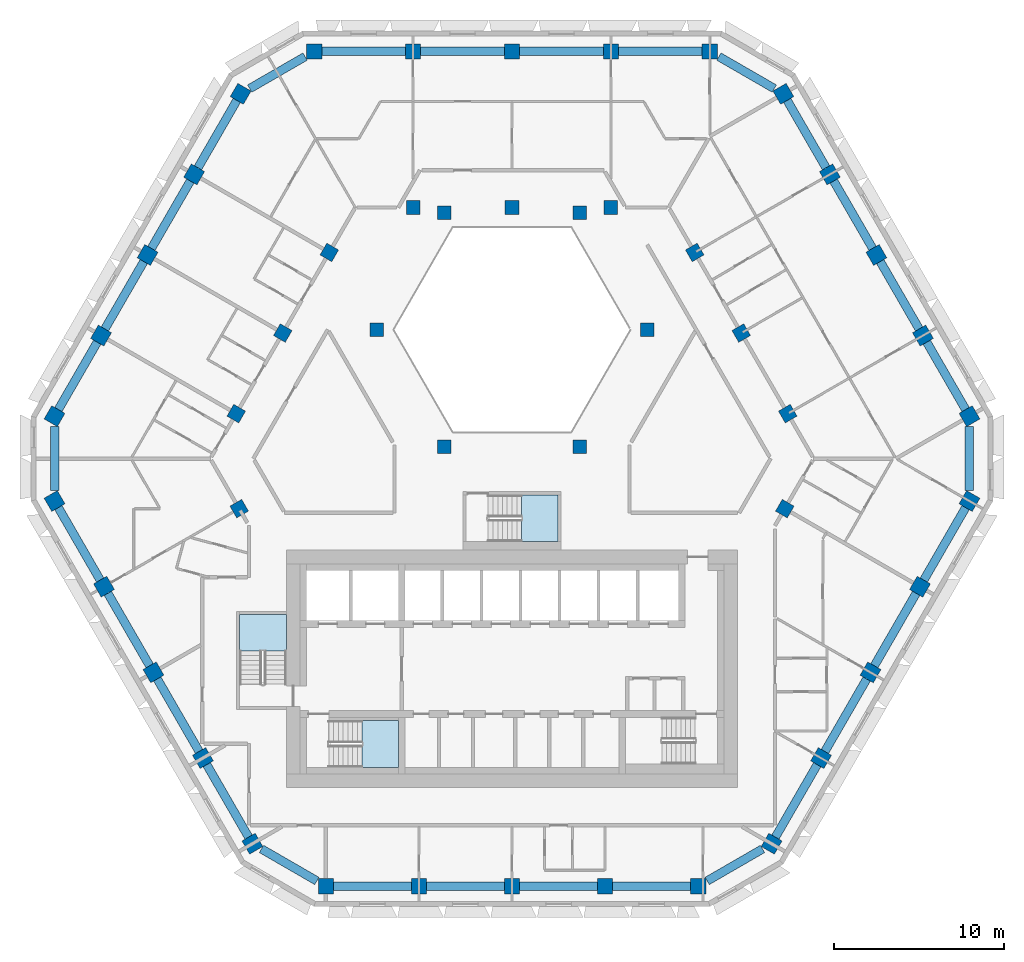
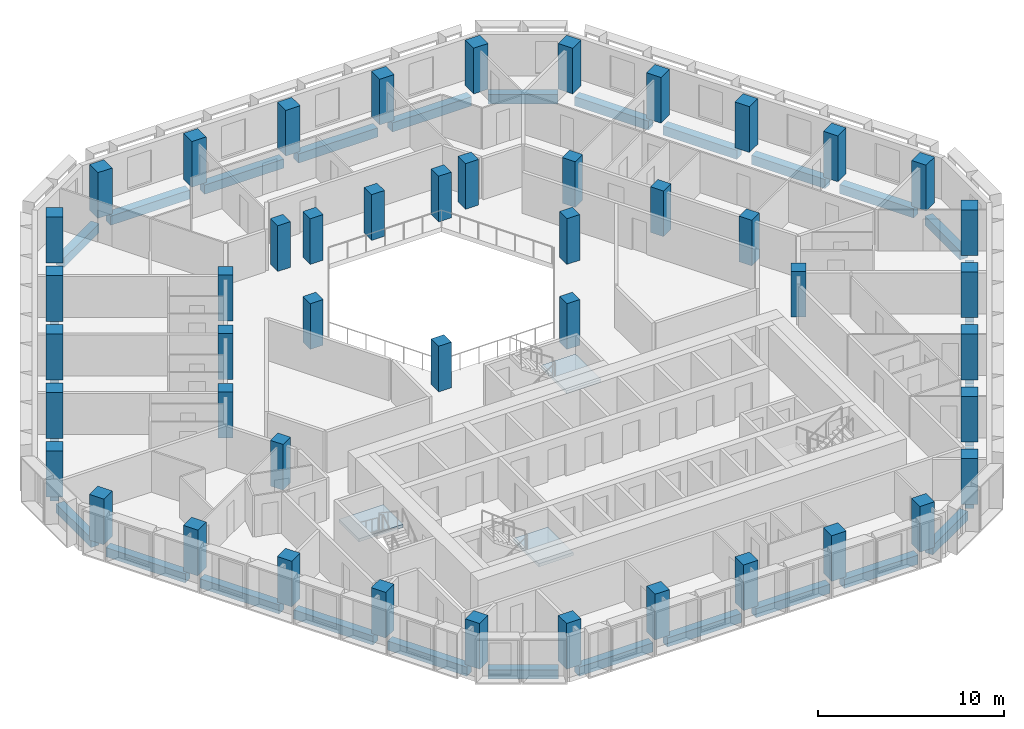
# One storey, part 1 of 15: 47 columns, 30 beams, 3 slabs, 3 elements without a shape of their own.
"""IFC4 building model written with IfcOpenShell, lengths in metres."""

from ifc_helpers import new_model, si_unit, direction, frame, origin, origin_2d, place, context, subcontext, project, spatial, polyline, rectangle, outline, extrude, material, layer, layer_set, material_profile, profile_set, type_object, element, aggregate, save


model = new_model("IFC4")

# Units and contexts
model_context = context("Model", 3, precision=1e-05, world=origin(), true_north=direction((0.0, 1.0)))
body_context = subcontext(model_context, "Body", "Model", "MODEL_VIEW")
ifc_project = project(units=[si_unit("LENGTHUNIT", "METRE"), si_unit("AREAUNIT", "SQUARE_METRE"), si_unit("VOLUMEUNIT", "CUBIC_METRE"), si_unit("PLANEANGLEUNIT", "RADIAN"), si_unit("MASSUNIT", "GRAM", prefix="KILO")], contexts=[model_context])

# Site, building, storey
site_placement = place(None, origin())
site = spatial("IfcSite", under=ifc_project, at=site_placement, CompositionType="ELEMENT")
building_placement = place(site_placement, origin())
building = spatial("IfcBuilding", under=site, at=building_placement, Name="Beryl Residences", CompositionType="ELEMENT")
storey_placement = place(building_placement, frame((0.0, 0.0, 135.60009765625)))
storey = spatial("IfcBuildingStorey", under=building, at=storey_placement, Name="L41", CompositionType="ELEMENT", Elevation=135.60009765625)

# Columns
ifc_material_1 = material(Name="Concrete C60/75", Category="concrete")
ifc_material_profile_1 = material_profile(ifc_material_1, rectangle(XDim=0.89990234375, YDim=0.89990234375, at=origin_2d()))
ifc_profile_set_1 = profile_set([ifc_material_profile_1], Name="Concrete C60/75")
column_type_1 = type_object("IfcColumnType", Name="C3 tube column 900 x 900 C60/75", PredefinedType="COLUMN", material=ifc_profile_set_1)
for number, where, z_axis, x_axis, name in (
    (1, (11.662109375, 24.39990234375, 0.0), (0.0, 0.0, 1.0), (-1.0, 0.0, 0.0), "C3-N1 L41"),
    (2, (5.8310546875, 24.39990234375, 0.0), (0.0, 0.0, 1.0), (-1.0, 0.0, 0.0), "C3-N2 L41"),
    (3, (0.0, 24.39990234375, 0.0), (0.0, 0.0, 1.0), (-1.0, 0.0, 0.0), "C3-N3 L41"),
    (4, (-5.8310546875, 24.39990234375, 0.0), (0.0, 0.0, 1.0), (-1.0, 0.0, 0.0), "C3-N4 L41"),
    (5, (-11.662109375, 24.39990234375, 0.0), (0.0, 0.0, 1.0), (-1.0, 0.0, 0.0), "C3-N5 L41"),
    (6, (-15.992919921875, 21.89990234375, 0.0), (0.0, 0.0, 1.0), (-0.5, -0.866025403784, 0.0), "C3-NW1 L41"),
    (7, (-18.735107421875, 17.14990234375, 0.0), (0.0, 0.0, 1.0), (-0.5, -0.866025403784, 0.0), "C3-NW2 L41"),
    (8, (-21.47802734375, 12.39990234375, 0.0), (0.0, 0.0, 1.0), (-0.5, -0.866025403784, 0.0), "C3-NW3 L41"),
    (9, (-24.219970703125, 7.64990234375, 0.0), (0.0, 0.0, 1.0), (-0.5, -0.866025403784, 0.0), "C3-NW4 L41"),
    (10, (-26.962890625, 2.89990234375, 0.0), (0.0, 0.0, 1.0), (-0.5, -0.866025403784, 0.0), "C3-NW5 L41"),
    (11, (-26.9619140625, -2.10009765625, 0.0), (0.0, 0.0, 1.0), (0.5, -0.866025403784, 0.0), "C3-SW1 L41"),
    (12, (-24.047119140625, -7.14892578125, 0.0), (0.0, 0.0, 1.0), (0.5, -0.866025403784, 0.0), "C3-SW2 L41"),
    (13, (-21.131103515625, -12.198974609375, 0.0), (0.0, 0.0, 1.0), (0.5, -0.866025403784, 0.0), "C3-SW3 L41"),
    (14, (-18.216064453125, -17.2490234375, 0.0), (0.0, 0.0, 1.0), (0.5, -0.866025403784, 0.0), "C3-SW4 L41"),
    (15, (-15.300048828125, -22.299072265625, 0.0), (0.0, 0.0, 1.0), (0.5, -0.866025403784, 0.0), "C3-SW5 L41"),
    (16, (-10.968994140625, -24.800048828125, 0.0), (0.0, 0.0, 1.0), (1.0, 0.0, 0.0), "C3-S1 L41"),
    (17, (-5.48388671875, -24.800048828125, 0.0), (0.0, 0.0, 1.0), (1.0, 0.0, 0.0), "C3-S2 L41"),
    (18, (0.0009765625, -24.800048828125, 0.0), (0.0, 0.0, 1.0), (1.0, 0.0, 0.0), "C3-S3 L41"),
    (19, (5.486083984375, -24.800048828125, 0.0), (0.0, 0.0, 1.0), (1.0, 0.0, 0.0), "C3-S4 L41"),
    (20, (10.970947265625, -24.800048828125, 0.0), (0.0, 0.0, 1.0), (1.0, 0.0, 0.0), "C3-S5 L41"),
    (21, (15.299072265625, -22.300048828125, 0.0), (0.0, 0.0, 1.0), (0.5, 0.866025403784, 0.0), "C3-SE1 L41"),
    (22, (18.215087890625, -17.2509765625, 0.0), (0.0, 0.0, 1.0), (0.5, 0.866025403784, 0.0), "C3-SE2 L41"),
    (23, (21.1298828125, -12.200927734375, 0.0), (0.0, 0.0, 1.0), (0.5, 0.866025403784, 0.0), "C3-SE3 L41"),
    (24, (24.0458984375, -7.15087890625, 0.0), (0.0, 0.0, 1.0), (0.5, 0.866025403784, 0.0), "C3-SE4 L41"),
    (25, (26.9609375, -2.10107421875, 0.0), (0.0, 0.0, 1.0), (0.5, 0.866025403784, 0.0), "C3-SE5 L41"),
    (26, (26.962890625, 2.89990234375, 0.0), (0.0, 0.0, 1.0), (-0.5, 0.866025403784, 0.0), "C3-NE1 L41"),
    (27, (24.219970703125, 7.64990234375, 0.0), (0.0, 0.0, 1.0), (-0.5, 0.866025403784, 0.0), "C3-NE2 L41"),
    (28, (21.47802734375, 12.39990234375, 0.0), (0.0, 0.0, 1.0), (-0.5, 0.866025403784, 0.0), "C3-NE3 L41"),
    (29, (18.735107421875, 17.14990234375, 0.0), (0.0, 0.0, 1.0), (-0.5, 0.866025403784, 0.0), "C3-NE4 L41"),
    (30, (15.992919921875, 21.89990234375, 0.0), (0.0, 0.0, 1.0), (-0.5, 0.866025403784, 0.0), "C3-NE5 L41"),
):
    element("IfcColumn", number, at=place(storey_placement, frame(where, z_axis=z_axis, x_axis=x_axis)), inside=storey, type_object=column_type_1, Name=name, PredefinedType="COLUMN", context=body_context, shape_type="SweptSolid", body=[
        extrude(rectangle(XDim=0.89990234375, YDim=0.89990234375, at=origin_2d()), origin(), (0.0, 0.0, 1.0), 3.0),
    ])
ifc_material_2 = material(Name="Concrete C60/75", Category="concrete")
ifc_material_profile_2 = material_profile(ifc_material_2, rectangle(XDim=0.800048828125, YDim=0.800048828125, at=origin_2d()))
ifc_profile_set_2 = profile_set([ifc_material_profile_2], Name="Concrete C60/75")
column_type_2 = type_object("IfcColumnType", Name="IC3 interior column 800 x 800 C60/75", PredefinedType="COLUMN", material=ifc_profile_set_2)
for number, where, z_axis, x_axis, name in (
    (31, (-16.0791015625, -2.549072265625, 0.0), (0.0, 0.0, 1.0), (0.5, -0.866025403784, 0.0), "IC3-M01 L41"),
    (32, (16.077880859375, -2.551025390625, 0.0), (0.0, 0.0, 1.0), (0.5, 0.866025403784, 0.0), "IC3-M02 L41"),
    (33, (16.2529296875, 3.050048828125, 0.0), (0.0, 0.0, 1.0), (-0.5, 0.866025403784, 0.0), "IC3-M03 L41"),
    (34, (3.98388671875, 1.10009765625, 0.0), (0.0, 0.0, 1.0), (1.0, 0.0, 0.0), "IC3-A04 L41"),
    (35, (13.510009765625, 7.800048828125, 0.0), (0.0, 0.0, 1.0), (-0.5, 0.866025403784, 0.0), "IC3-M05 L41"),
    (36, (7.967041015625, 8.0, 0.0), (0.0, 0.0, 1.0), (1.0, 0.0, 0.0), "IC3-A06 L41"),
    (37, (10.76806640625, 12.550048828125, 0.0), (0.0, 0.0, 1.0), (-0.5, 0.866025403784, 0.0), "IC3-M07 L41"),
    (38, (5.8310546875, 15.199951171875, 0.0), (0.0, 0.0, 1.0), (-1.0, 0.0, 0.0), "IC3-M08 L41"),
    (39, (3.98388671875, 14.89990234375, 0.0), (0.0, 0.0, 1.0), (1.0, 0.0, 0.0), "IC3-A09 L41"),
    (40, (0.0, 15.199951171875, 0.0), (0.0, 0.0, 1.0), (-1.0, 0.0, 0.0), "IC3-M10 L41"),
    (41, (-3.98388671875, 14.89990234375, 0.0), (0.0, 0.0, 1.0), (1.0, 0.0, 0.0), "IC3-A11 L41"),
    (42, (-5.8310546875, 15.199951171875, 0.0), (0.0, 0.0, 1.0), (-1.0, 0.0, 0.0), "IC3-M12 L41"),
    (43, (-10.76806640625, 12.550048828125, 0.0), (0.0, 0.0, 1.0), (-0.5, -0.866025403784, 0.0), "IC3-M13 L41"),
    (44, (-7.967041015625, 8.0, 0.0), (0.0, 0.0, 1.0), (1.0, 0.0, 0.0), "IC3-A14 L41"),
    (45, (-13.510009765625, 7.800048828125, 0.0), (0.0, 0.0, 1.0), (-0.5, -0.866025403784, 0.0), "IC3-M15 L41"),
    (46, (-3.98388671875, 1.10009765625, 0.0), (0.0, 0.0, 1.0), (1.0, 0.0, 0.0), "IC3-A16 L41"),
    (47, (-16.2529296875, 3.050048828125, 0.0), (0.0, 0.0, 1.0), (-0.5, -0.866025403784, 0.0), "IC3-M17 L41"),
):
    element("IfcColumn", number, at=place(storey_placement, frame(where, z_axis=z_axis, x_axis=x_axis)), inside=storey, type_object=column_type_2, Name=name, PredefinedType="COLUMN", context=body_context, shape_type="SweptSolid", body=[
        extrude(rectangle(XDim=0.800048828125, YDim=0.800048828125, at=origin_2d()), origin(), (0.0, 0.0, 1.0), 3.0),
    ])

# Beams
ifc_material_3 = material(Name="Concrete C60/75", Category="concrete")
ifc_material_profile_3 = material_profile(ifc_material_3, rectangle(XDim=0.5, YDim=0.60009765625, at=origin_2d()))
ifc_profile_set_3 = profile_set([ifc_material_profile_3], Name="Concrete C60/75")
beam_type = type_object("IfcBeamType", Name="SB3 spandrel beam 500 x 600 C60/75", PredefinedType="SPANDREL", material=ifc_profile_set_3)
beam_1_placement = place(storey_placement, frame((11.2119140625, 24.39990234375, -0.60009765625), z_axis=(-1.0, 0.0, 0.0), x_axis=(0.0, -1.0, 0.0)))
element("IfcBeam", 48, at=beam_1_placement, inside=storey, type_object=beam_type, Name="SB3 L41 N-0", PredefinedType="SPANDREL", context=body_context, shape_type="SweptSolid", body=[
    extrude(rectangle(XDim=0.5, YDim=0.60009765625, at=origin_2d()), origin(), (0.0, 0.0, 1.0), 4.930908203125),
])
for number, where, z_axis, x_axis, name in (
    (49, (5.381103515625, 24.39990234375, -0.60009765625), (-1.0, 0.0, 0.0), (0.0, -1.0, 0.0), "SB3 L41 N-1"),
    (50, (-0.449951171875, 24.39990234375, -0.60009765625), (-1.0, 0.0, 0.0), (0.0, -1.0, 0.0), "SB3 L41 N-2"),
):
    element("IfcBeam", number, at=place(storey_placement, frame(where, z_axis=z_axis, x_axis=x_axis)), inside=storey, type_object=beam_type, Name=name, PredefinedType="SPANDREL", context=body_context, shape_type="SweptSolid", body=[
        extrude(rectangle(XDim=0.5, YDim=0.60009765625, at=origin_2d()), origin(), (0.0, 0.0, 1.0), 4.93115234375),
    ])
beam_2_placement = place(storey_placement, frame((-6.281005859375, 24.39990234375, -0.60009765625), z_axis=(-1.0, 0.0, 0.0), x_axis=(0.0, -1.0, 0.0)))
element("IfcBeam", 51, at=beam_2_placement, inside=storey, type_object=beam_type, Name="SB3 L41 N-3", PredefinedType="SPANDREL", context=body_context, shape_type="SweptSolid", body=[
    extrude(rectangle(XDim=0.5, YDim=0.60009765625, at=origin_2d()), origin(), (0.0, 0.0, 1.0), 4.930908203125),
])
beam_3_placement = place(storey_placement, frame((-12.194091796875, 24.093017578125, -0.60009765625), z_axis=(-0.866040087317, -0.499974566514, 0.0), x_axis=(0.499974566514, -0.866040087317, 0.0)))
element("IfcBeam", 52, at=beam_3_placement, inside=storey, type_object=beam_type, Name="SB3 L41 N-4", PredefinedType="SPANDREL", context=body_context, shape_type="SweptSolid", body=[
    extrude(rectangle(XDim=0.5, YDim=0.60009765625, at=origin_2d()), origin(), (0.0, 0.0, 1.0), 3.772216796875),
])
beam_4_placement = place(storey_placement, frame((-16.218017578125, 21.510009765625, -0.60009765625), z_axis=(-0.49998830735, -0.866032154434, 0.0), x_axis=(0.866032154434, -0.49998830735, 0.0)))
element("IfcBeam", 53, at=beam_4_placement, inside=storey, type_object=beam_type, Name="SB3 L41 NW-0", PredefinedType="SPANDREL", context=body_context, shape_type="SweptSolid", body=[
    extrude(rectangle(XDim=0.5, YDim=0.60009765625, at=origin_2d()), origin(), (0.0, 0.0, 1.0), 4.583984375),
])
beam_5_placement = place(storey_placement, frame((-18.9599609375, 16.760009765625, -0.60009765625), z_axis=(-0.500148059018, -0.865939904993, 0.0), x_axis=(0.865939904993, -0.500148059018, 0.0)))
element("IfcBeam", 54, at=beam_5_placement, inside=storey, type_object=beam_type, Name="SB3 L41 NW-1", PredefinedType="SPANDREL", context=body_context, shape_type="SweptSolid", body=[
    extrude(rectangle(XDim=0.5, YDim=0.60009765625, at=origin_2d()), origin(), (0.0, 0.0, 1.0), 4.58447265625),
])
beam_6_placement = place(storey_placement, frame((-21.702880859375, 12.010009765625, -0.60009765625), z_axis=(-0.500028250054, -0.866009092994, 0.0), x_axis=(0.866009092994, -0.500028250054, 0.0)))
element("IfcBeam", 55, at=beam_6_placement, inside=storey, type_object=beam_type, Name="SB3 L41 NW-2", PredefinedType="SPANDREL", context=body_context, shape_type="SweptSolid", body=[
    extrude(rectangle(XDim=0.5, YDim=0.60009765625, at=origin_2d()), origin(), (0.0, 0.0, 1.0), 4.584228515625),
])
beam_7_placement = place(storey_placement, frame((-24.445068359375, 7.260009765625, -0.60009765625), z_axis=(-0.500148059018, -0.865939904993, 0.0), x_axis=(0.865939904993, -0.500148059018, 0.0)))
element("IfcBeam", 56, at=beam_7_placement, inside=storey, type_object=beam_type, Name="SB3 L41 NW-3", PredefinedType="SPANDREL", context=body_context, shape_type="SweptSolid", body=[
    extrude(rectangle(XDim=0.5, YDim=0.60009765625, at=origin_2d()), origin(), (0.0, 0.0, 1.0), 4.58447265625),
])
beam_8_placement = place(storey_placement, frame((-26.962890625, 2.285888671875, -0.60009765625), z_axis=(0.000258899668, -0.999999966485, 0.0), x_axis=(0.999999966485, 0.000258899668, 0.0)))
element("IfcBeam", 57, at=beam_8_placement, inside=storey, type_object=beam_type, Name="SB3 L41 NW-4", PredefinedType="SPANDREL", context=body_context, shape_type="SweptSolid", body=[
    extrude(rectangle(XDim=0.5, YDim=0.60009765625, at=origin_2d()), origin(), (0.0, 0.0, 1.0), 3.77197265625),
])
beam_9_placement = place(storey_placement, frame((-26.737060546875, -2.489990234375, -0.60009765625), z_axis=(0.50005397607, -0.865994238443, 0.0), x_axis=(0.865994238443, 0.50005397607, 0.0)))
element("IfcBeam", 58, at=beam_9_placement, inside=storey, type_object=beam_type, Name="SB3 L41 SW-0", PredefinedType="SPANDREL", context=body_context, shape_type="SweptSolid", body=[
    extrude(rectangle(XDim=0.5, YDim=0.60009765625, at=origin_2d()), origin(), (0.0, 0.0, 1.0), 4.9296875),
])
beam_10_placement = place(storey_placement, frame((-23.822021484375, -7.5390625, -0.60009765625), z_axis=(0.500116736097, -0.865957995677, 0.0), x_axis=(0.865957995677, 0.500116736097, 0.0)))
element("IfcBeam", 59, at=beam_10_placement, inside=storey, type_object=beam_type, Name="SB3 L41 SW-1", PredefinedType="SPANDREL", context=body_context, shape_type="SweptSolid", body=[
    extrude(rectangle(XDim=0.5, YDim=0.60009765625, at=origin_2d()), origin(), (0.0, 0.0, 1.0), 4.930908203125),
])
beam_11_placement = place(storey_placement, frame((-20.906005859375, -12.589111328125, -0.60009765625), z_axis=(0.499989643469, -0.866031383048, 0.0), x_axis=(0.866031383048, 0.499989643469, 0.0)))
element("IfcBeam", 60, at=beam_11_placement, inside=storey, type_object=beam_type, Name="SB3 L41 SW-2", PredefinedType="SPANDREL", context=body_context, shape_type="SweptSolid", body=[
    extrude(rectangle(XDim=0.5, YDim=0.60009765625, at=origin_2d()), origin(), (0.0, 0.0, 1.0), 4.93017578125),
])
beam_12_placement = place(storey_placement, frame((-17.990966796875, -17.638916015625, -0.60009765625), z_axis=(0.500116736097, -0.865957995677, 0.0), x_axis=(0.865957995677, 0.500116736097, 0.0)))
element("IfcBeam", 61, at=beam_12_placement, inside=storey, type_object=beam_type, Name="SB3 L41 SW-3", PredefinedType="SPANDREL", context=body_context, shape_type="SweptSolid", body=[
    extrude(rectangle(XDim=0.5, YDim=0.60009765625, at=origin_2d()), origin(), (0.0, 0.0, 1.0), 4.930908203125),
])
beam_13_placement = place(storey_placement, frame((-14.76806640625, -22.60595703125, -0.60009765625), z_axis=(0.865944170592, -0.500140673629, 0.0), x_axis=(0.500140673629, 0.865944170592, 0.0)))
element("IfcBeam", 62, at=beam_13_placement, inside=storey, type_object=beam_type, Name="SB3 L41 SW-4", PredefinedType="SPANDREL", context=body_context, shape_type="SweptSolid", body=[
    extrude(rectangle(XDim=0.5, YDim=0.60009765625, at=origin_2d()), origin(), (0.0, 0.0, 1.0), 3.77294921875),
])
for number, where, z_axis, x_axis, name in (
    (63, (-10.51904296875, -24.800048828125, -0.60009765625), (1.0, 0.0, 0.0), (0.0, 1.0, 0.0), "SB3 L41 S-0"),
    (64, (-5.033935546875, -24.800048828125, -0.60009765625), (1.0, 0.0, 0.0), (0.0, 1.0, 0.0), "SB3 L41 S-1"),
    (65, (0.450927734375, -24.800048828125, -0.60009765625), (1.0, 0.0, 0.0), (0.0, 1.0, 0.0), "SB3 L41 S-2"),
    (66, (5.93603515625, -24.800048828125, -0.60009765625), (1.0, 0.0, 0.0), (0.0, 1.0, 0.0), "SB3 L41 S-3"),
):
    element("IfcBeam", number, at=place(storey_placement, frame(where, z_axis=z_axis, x_axis=x_axis)), inside=storey, type_object=beam_type, Name=name, PredefinedType="SPANDREL", context=body_context, shape_type="SweptSolid", body=[
        extrude(rectangle(XDim=0.5, YDim=0.60009765625, at=origin_2d()), origin(), (0.0, 0.0, 1.0), 4.5849609375),
    ])
beam_14_placement = place(storey_placement, frame((11.5029296875, -24.492919921875, -0.60009765625), z_axis=(0.865861956233, 0.500282992663, 0.0), x_axis=(-0.500282992663, 0.865861956233, 0.0)))
element("IfcBeam", 67, at=beam_14_placement, inside=storey, type_object=beam_type, Name="SB3 L41 S-4", PredefinedType="SPANDREL", context=body_context, shape_type="SweptSolid", body=[
    extrude(rectangle(XDim=0.5, YDim=0.60009765625, at=origin_2d()), origin(), (0.0, 0.0, 1.0), 3.769775390625),
])
beam_15_placement = place(storey_placement, frame((15.52392578125, -21.909912109375, -0.60009765625), z_axis=(0.500223967704, 0.86589605735, 0.0), x_axis=(-0.86589605735, 0.500223967704, 0.0)))
element("IfcBeam", 68, at=beam_15_placement, inside=storey, type_object=beam_type, Name="SB3 L41 SE-0", PredefinedType="SPANDREL", context=body_context, shape_type="SweptSolid", body=[
    extrude(rectangle(XDim=0.5, YDim=0.60009765625, at=origin_2d()), origin(), (0.0, 0.0, 1.0), 4.929931640625),
])
beam_16_placement = place(storey_placement, frame((18.43994140625, -16.861083984375, -0.60009765625), z_axis=(0.499968202334, 0.866043761397, 0.0), x_axis=(-0.866043761397, 0.499968202334, 0.0)))
element("IfcBeam", 69, at=beam_16_placement, inside=storey, type_object=beam_type, Name="SB3 L41 SE-1", PredefinedType="SPANDREL", context=body_context, shape_type="SweptSolid", body=[
    extrude(rectangle(XDim=0.5, YDim=0.60009765625, at=origin_2d()), origin(), (0.0, 0.0, 1.0), 4.930419921875),
])
beam_17_placement = place(storey_placement, frame((21.35498046875, -11.81103515625, -0.60009765625), z_axis=(0.500116736097, 0.865957995677, 0.0), x_axis=(-0.865957995677, 0.500116736097, 0.0)))
element("IfcBeam", 70, at=beam_17_placement, inside=storey, type_object=beam_type, Name="SB3 L41 SE-2", PredefinedType="SPANDREL", context=body_context, shape_type="SweptSolid", body=[
    extrude(rectangle(XDim=0.5, YDim=0.60009765625, at=origin_2d()), origin(), (0.0, 0.0, 1.0), 4.930908203125),
])
beam_18_placement = place(storey_placement, frame((24.27099609375, -6.760986328125, -0.60009765625), z_axis=(0.499968202334, 0.866043761397, 0.0), x_axis=(-0.866043761397, 0.499968202334, 0.0)))
element("IfcBeam", 71, at=beam_18_placement, inside=storey, type_object=beam_type, Name="SB3 L41 SE-3", PredefinedType="SPANDREL", context=body_context, shape_type="SweptSolid", body=[
    extrude(rectangle(XDim=0.5, YDim=0.60009765625, at=origin_2d()), origin(), (0.0, 0.0, 1.0), 4.930419921875),
])
beam_19_placement = place(storey_placement, frame((26.9609375, -1.487060546875, -0.60009765625), z_axis=(0.00051766526, 0.999999866011, 0.0), x_axis=(-0.999999866011, 0.00051766526, 0.0)))
element("IfcBeam", 72, at=beam_19_placement, inside=storey, type_object=beam_type, Name="SB3 L41 SE-4", PredefinedType="SPANDREL", context=body_context, shape_type="SweptSolid", body=[
    extrude(rectangle(XDim=0.5, YDim=0.60009765625, at=origin_2d()), origin(), (0.0, 0.0, 1.0), 3.77294921875),
])
beam_20_placement = place(storey_placement, frame((26.738037109375, 3.2900390625, -0.60009765625), z_axis=(-0.500148059018, 0.865939904993, 0.0), x_axis=(-0.865939904993, -0.500148059018, 0.0)))
element("IfcBeam", 73, at=beam_20_placement, inside=storey, type_object=beam_type, Name="SB3 L41 NE-0", PredefinedType="SPANDREL", context=body_context, shape_type="SweptSolid", body=[
    extrude(rectangle(XDim=0.5, YDim=0.60009765625, at=origin_2d()), origin(), (0.0, 0.0, 1.0), 4.58447265625),
])
beam_21_placement = place(storey_placement, frame((23.9951171875, 8.0400390625, -0.60009765625), z_axis=(-0.500028250054, 0.866009092994, 0.0), x_axis=(-0.866009092994, -0.500028250054, 0.0)))
element("IfcBeam", 74, at=beam_21_placement, inside=storey, type_object=beam_type, Name="SB3 L41 NE-1", PredefinedType="SPANDREL", context=body_context, shape_type="SweptSolid", body=[
    extrude(rectangle(XDim=0.5, YDim=0.60009765625, at=origin_2d()), origin(), (0.0, 0.0, 1.0), 4.584228515625),
])
beam_22_placement = place(storey_placement, frame((21.2529296875, 12.7900390625, -0.60009765625), z_axis=(-0.500148059018, 0.865939904993, 0.0), x_axis=(-0.865939904993, -0.500148059018, 0.0)))
element("IfcBeam", 75, at=beam_22_placement, inside=storey, type_object=beam_type, Name="SB3 L41 NE-2", PredefinedType="SPANDREL", context=body_context, shape_type="SweptSolid", body=[
    extrude(rectangle(XDim=0.5, YDim=0.60009765625, at=origin_2d()), origin(), (0.0, 0.0, 1.0), 4.58447265625),
])
beam_23_placement = place(storey_placement, frame((18.510009765625, 17.5400390625, -0.60009765625), z_axis=(-0.49998830735, 0.866032154434, 0.0), x_axis=(-0.866032154434, -0.49998830735, 0.0)))
element("IfcBeam", 76, at=beam_23_placement, inside=storey, type_object=beam_type, Name="SB3 L41 NE-3", PredefinedType="SPANDREL", context=body_context, shape_type="SweptSolid", body=[
    extrude(rectangle(XDim=0.5, YDim=0.60009765625, at=origin_2d()), origin(), (0.0, 0.0, 1.0), 4.583984375),
])
beam_24_placement = place(storey_placement, frame((15.4609375, 22.20703125, -0.60009765625), z_axis=(-0.866040087317, 0.499974566514, 0.0), x_axis=(-0.499974566514, -0.866040087317, 0.0)))
element("IfcBeam", 77, at=beam_24_placement, inside=storey, type_object=beam_type, Name="SB3 L41 NE-4", PredefinedType="SPANDREL", context=body_context, shape_type="SweptSolid", body=[
    extrude(rectangle(XDim=0.5, YDim=0.60009765625, at=origin_2d()), origin(), (0.0, 0.0, 1.0), 3.772216796875),
])

# Stair, slab
ifc_material_4 = material(Name="Concrete C40/50", Category="concrete")
stair_type = type_object("IfcStairType", Name="ST1 protected exit stair, half-turn, 1300 mm flights", PredefinedType="HALF_TURN_STAIR", material=ifc_material_4)
stair_1_placement = place(storey_placement, origin())
stair_1 = element("IfcStair", 78, at=stair_1_placement, inside=storey, type_object=stair_type, Name="L41 PROTECTED EXIT STAIR ST-1", PredefinedType="HALF_TURN_STAIR")
ifc_material_5 = material(Name="Concrete C40/50", Category="concrete")
ifc_layer = layer(ifc_material_5, 0.199951171875)
ifc_layer_set = layer_set([ifc_layer], Name="SLD1 stair landing 200 mm")
slab_type = type_object("IfcSlabType", Name="SLD1 stair landing 200 mm", PredefinedType="LANDING", material=ifc_layer_set)
slab_1_placement = place(storey_placement, frame((0.0, 0.0, 1.2998046875)))
slab_1 = element("IfcSlab", 79, at=slab_1_placement, type_object=slab_type, Name="ST-1 landing 1", PredefinedType="LANDING", context=body_context, shape_type="SweptSolid", body=[
    extrude(outline(polyline([(-8.840087890625, -17.800048828125), (-6.699951171875, -17.800048828125), (-6.699951171875, -15.050048828125), (-8.840087890625, -15.050048828125), (-8.840087890625, -17.800048828125)])), origin(), (0.0, 0.0, 1.0), 0.2001953125),
])
aggregate(stair_1, [slab_1])

stair_2_placement = place(storey_placement, origin())
stair_2 = element("IfcStair", 80, at=stair_2_placement, inside=storey, type_object=stair_type, Name="L41 PROTECTED EXIT STAIR ST-2", PredefinedType="HALF_TURN_STAIR")
slab_2_placement = place(storey_placement, frame((0.0, 0.0, 1.2998046875)))
slab_2 = element("IfcSlab", 81, at=slab_2_placement, type_object=slab_type, Name="ST-2 landing 1", PredefinedType="LANDING", context=body_context, shape_type="SweptSolid", body=[
    extrude(outline(polyline([(-13.300048828125, -10.93994140625), (-13.300048828125, -8.800048828125), (-16.050048828125, -8.800048828125), (-16.050048828125, -10.93994140625), (-13.300048828125, -10.93994140625)])), origin(), (0.0, 0.0, 1.0), 0.2001953125),
])
aggregate(stair_2, [slab_2])

stair_3_placement = place(storey_placement, origin())
stair_3 = element("IfcStair", 82, at=stair_3_placement, inside=storey, type_object=stair_type, Name="L41 PROTECTED EXIT STAIR ST-4", PredefinedType="HALF_TURN_STAIR")
slab_3_placement = place(storey_placement, frame((0.0, 0.0, 1.2998046875)))
slab_3 = element("IfcSlab", 83, at=slab_3_placement, type_object=slab_type, Name="ST-4 landing 1", PredefinedType="LANDING", context=body_context, shape_type="SweptSolid", body=[
    extrude(outline(polyline([(0.56005859375, -4.5), (2.699951171875, -4.5), (2.699951171875, -1.75), (0.56005859375, -1.75), (0.56005859375, -4.5)])), origin(), (0.0, 0.0, 1.0), 0.2001953125),
])
aggregate(stair_3, [slab_3])

save(model, "model.ifc")
